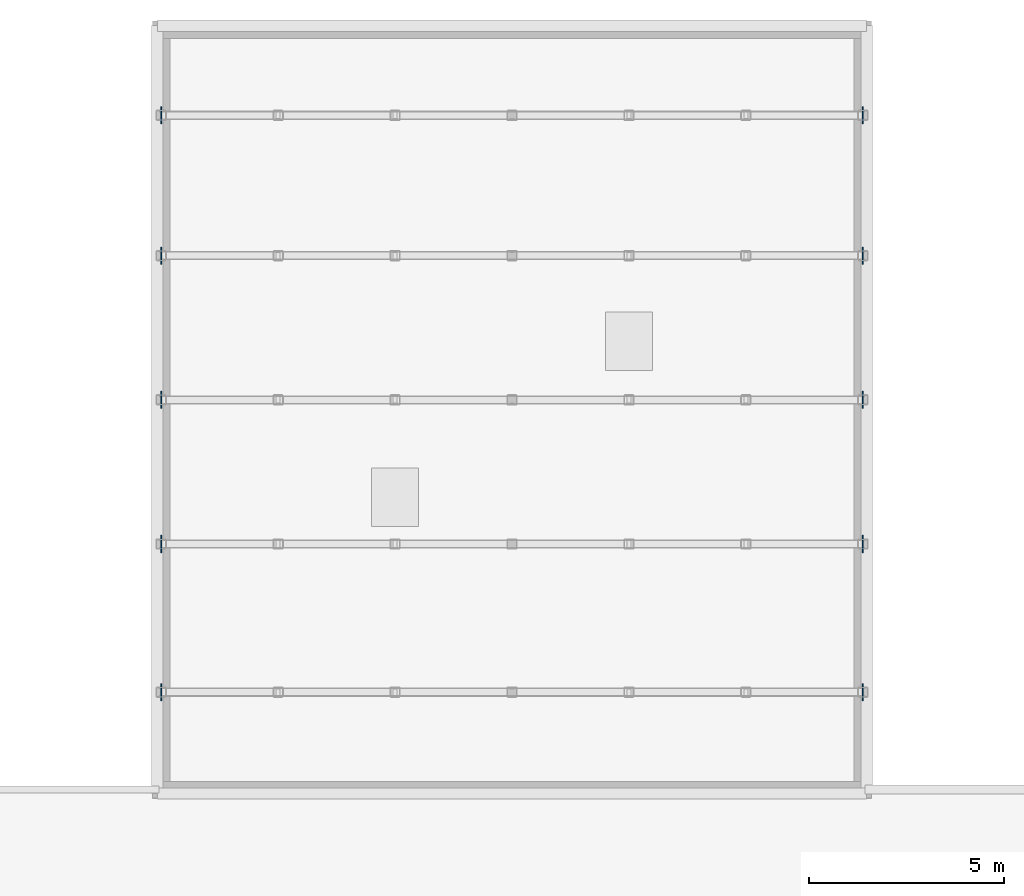
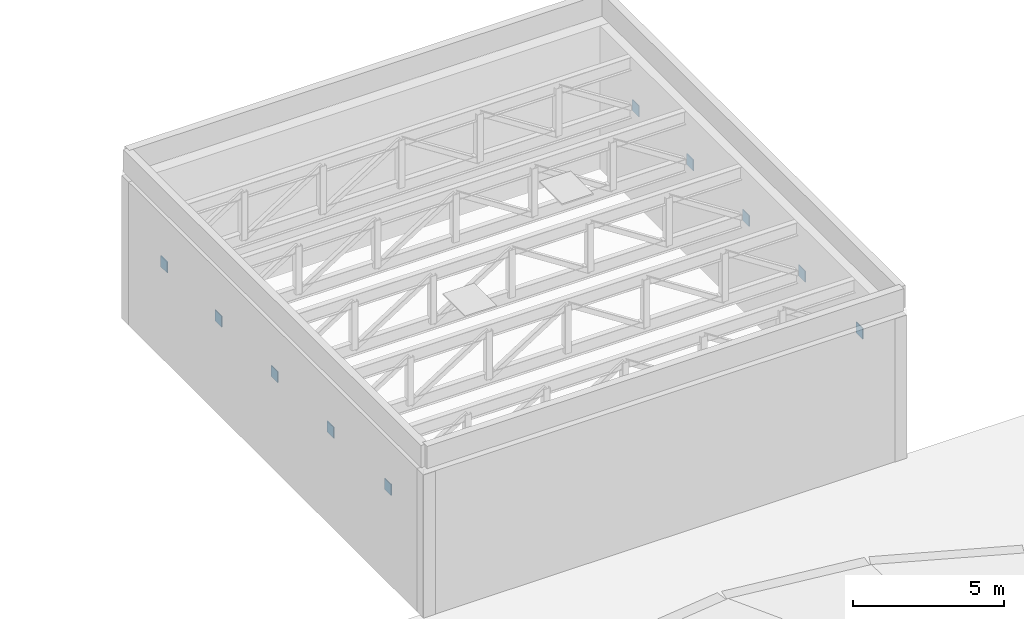
# One storey, part 21 of 25: 10 plates.
"""IFC4 building model written with IfcOpenShell, lengths in metres."""

from ifc_helpers import new_model, si_unit, direction, frame, origin, origin_2d, place, context, subcontext, project, spatial, rectangle, extrude, material, layer, layer_set, type_object, element, save


model = new_model("IFC4")

# Units and contexts
model_context = context("Model", 3, precision=1e-05, world=origin(), true_north=direction((0.0, 1.0)))
body_context = subcontext(model_context, "Body", "Model", "MODEL_VIEW")
ifc_project = project(units=[si_unit("LENGTHUNIT", "METRE"), si_unit("AREAUNIT", "SQUARE_METRE"), si_unit("VOLUMEUNIT", "CUBIC_METRE"), si_unit("PLANEANGLEUNIT", "RADIAN"), si_unit("MASSUNIT", "GRAM", prefix="KILO")], contexts=[model_context])

# Site, building, storey
site_placement = place(None, origin())
site = spatial("IfcSite", under=ifc_project, at=site_placement, CompositionType="ELEMENT")
building_placement = place(site_placement, origin())
building = spatial("IfcBuilding", under=site, at=building_placement, Name="Marnock Terrace Opera House", CompositionType="ELEMENT")
storey_placement = place(building_placement, frame((0.0, 0.0, 28.199951171875)))
storey = spatial("IfcBuildingStorey", under=building, at=storey_placement, Name="RF", CompositionType="ELEMENT", Elevation=28.199951171875)

# Plates
ifc_material = material(Name="Steel Grade 350 (AS/NZS 3679.1)", Category="steel")
ifc_layer = layer(ifc_material, 0.031982421875)
ifc_layer_set = layer_set([ifc_layer], Name="Steel Grade 350 (AS/NZS 3679.1)")
plate_type = type_object("IfcPlateType", Name="PLT-SHOE-440x32", PredefinedType="SHEET", material=ifc_layer_set)
for number, where, z_axis, x_axis, name in (
    (1, (73.0, 87.0, 3.360107421875), (0.0, 0.0, 1.0), (1.0, 0.0, 0.0), "Fly Tower Pratt truss 1 diagonal 0 shear-wall cast-in embed plate"),
    (2, (91.0, 87.0, 3.360107421875), (0.0, 0.0, 1.0), (1.0, 0.0, 0.0), "Fly Tower Pratt truss 1 diagonal 5 shear-wall cast-in embed plate"),
    (3, (73.0, 90.800048828125, 3.360107421875), (0.0, 0.0, 1.0), (1.0, 0.0, 0.0), "Fly Tower Pratt truss 2 diagonal 0 shear-wall cast-in embed plate"),
    (4, (91.0, 90.800048828125, 3.360107421875), (0.0, 0.0, 1.0), (1.0, 0.0, 0.0), "Fly Tower Pratt truss 2 diagonal 5 shear-wall cast-in embed plate"),
    (5, (73.0, 94.5, 3.360107421875), (0.0, 0.0, 1.0), (1.0, 0.0, 0.0), "Fly Tower Pratt truss 3 diagonal 0 shear-wall cast-in embed plate"),
    (6, (91.0, 94.5, 3.360107421875), (0.0, 0.0, 1.0), (1.0, 0.0, 0.0), "Fly Tower Pratt truss 3 diagonal 5 shear-wall cast-in embed plate"),
    (7, (73.0, 98.199951171875, 3.360107421875), (0.0, 0.0, 1.0), (1.0, 0.0, 0.0), "Fly Tower Pratt truss 4 diagonal 0 shear-wall cast-in embed plate"),
    (8, (91.0, 98.199951171875, 3.360107421875), (0.0, 0.0, 1.0), (1.0, 0.0, 0.0), "Fly Tower Pratt truss 4 diagonal 5 shear-wall cast-in embed plate"),
    (9, (73.0, 101.800048828125, 3.360107421875), (0.0, 0.0, 1.0), (1.0, 0.0, 0.0), "Fly Tower Pratt truss 5 diagonal 0 shear-wall cast-in embed plate"),
    (10, (91.0, 101.800048828125, 3.360107421875), (0.0, 0.0, 1.0), (1.0, 0.0, 0.0), "Fly Tower Pratt truss 5 diagonal 5 shear-wall cast-in embed plate"),
):
    element("IfcPlate", number, at=place(storey_placement, frame(where, z_axis=z_axis, x_axis=x_axis)), inside=storey, type_object=plate_type, Name=name, PredefinedType="SHEET", context=body_context, shape_type="SweptSolid", body=[
        extrude(rectangle(XDim=0.031982421875, YDim=0.43994140625, at=origin_2d()), origin(), (0.0, 0.0, 1.0), 0.43994140625),
    ])

save(model, "model.ifc")
